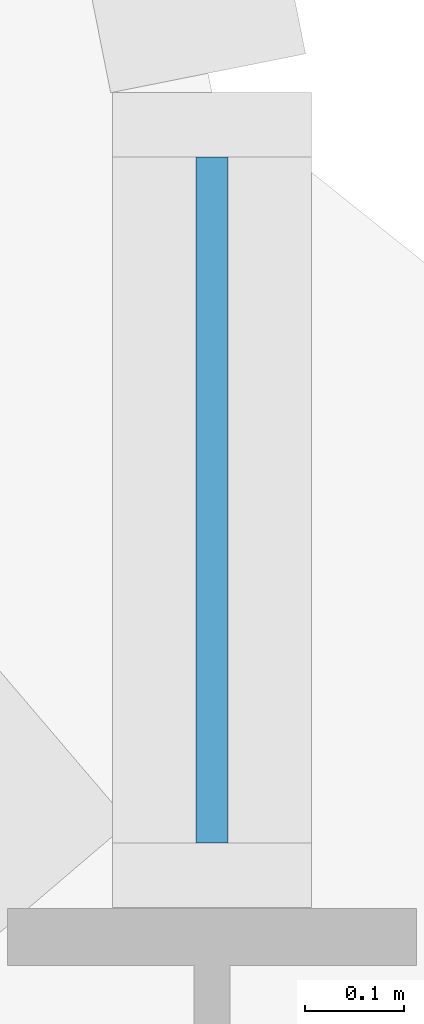
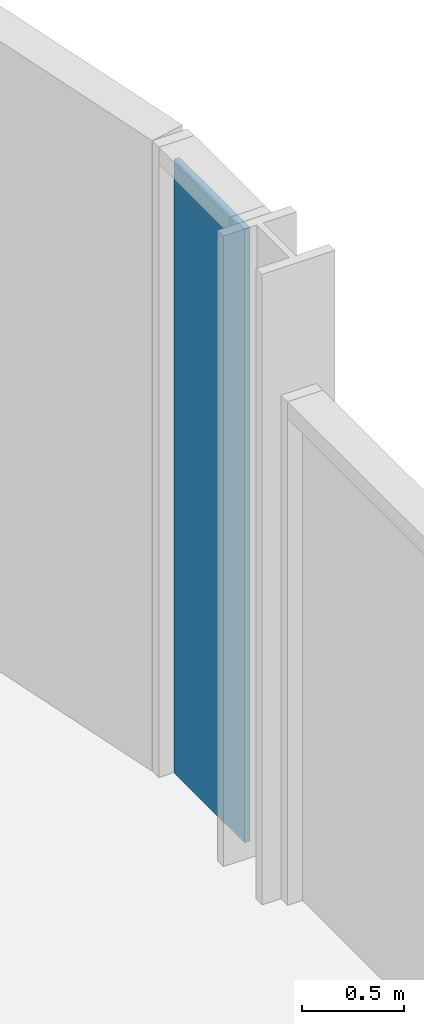
# One storey, part 12 of 29: 1 plate, 1 element without a shape of its own.
"""IFC4 building model written with IfcOpenShell, lengths in metres."""

from ifc_helpers import new_model, si_unit, direction, frame, origin, origin_2d, place, context, subcontext, project, spatial, rectangle, extrude, material, layer, layer_set, type_object, element, aggregate, save


model = new_model("IFC4")

# Units and contexts
model_context = context("Model", 3, precision=1e-05, world=origin(), true_north=direction((0.0, 1.0)))
body_context = subcontext(model_context, "Body", "Model", "MODEL_VIEW")
ifc_project = project(units=[si_unit("LENGTHUNIT", "METRE"), si_unit("AREAUNIT", "SQUARE_METRE"), si_unit("VOLUMEUNIT", "CUBIC_METRE"), si_unit("PLANEANGLEUNIT", "RADIAN"), si_unit("MASSUNIT", "GRAM", prefix="KILO")], contexts=[model_context])

# Site, building, storey
site_placement = place(None, origin())
site = spatial("IfcSite", under=ifc_project, at=site_placement, CompositionType="ELEMENT")
building_placement = place(site_placement, origin())
building = spatial("IfcBuilding", under=site, at=building_placement, Name="Mahtab Terrace Research Tower", CompositionType="ELEMENT")
storey_placement = place(building_placement, frame((0.0, 0.0, 142.5)))
storey = spatial("IfcBuildingStorey", under=building, at=storey_placement, Name="L33", CompositionType="ELEMENT", Elevation=142.5)

# Curtain wall, plate
ifc_material_1 = material(Name="Laboratory ribbon curtain wall")
curtain_wall_type = type_object("IfcCurtainWallType", Name="Laboratory ribbon curtain wall", PredefinedType="NOTDEFINED", material=ifc_material_1)
curtain_wall_placement = place(storey_placement, origin())
curtain_wall = element("IfcCurtainWall", 1, at=curtain_wall_placement, inside=storey, type_object=curtain_wall_type, Name="EN.L33.18.39", PredefinedType="NOTDEFINED")
ifc_material_2 = material(Name="Dark glazing", Category="glass")
ifc_layer = layer(ifc_material_2, 0.031982421875)
ifc_layer_set = layer_set([ifc_layer], Name="Laboratory ribbon curtain wall glazing panel")
plate_type = type_object("IfcPlateType", Name="Laboratory ribbon curtain wall glazing panel", PredefinedType="CURTAIN_PANEL", material=ifc_layer_set)
plate_placement = place(storey_placement, frame((48.0, 22.590087890625, 0.0), z_axis=(0.0, 0.0, 1.0), x_axis=(0.0, 1.0, 0.0)))
plate = element("IfcPlate", 2, at=plate_placement, type_object=plate_type, Name="CWL-4 panel 1", PredefinedType="CURTAIN_PANEL", context=body_context, shape_type="SweptSolid", body=[
    extrude(rectangle(XDim=0.68994140625, YDim=0.031982421875, at=origin_2d()), origin(), (0.0, 0.0, 1.0), 3.659912109375),
])
aggregate(curtain_wall, [plate])

save(model, "model.ifc")
